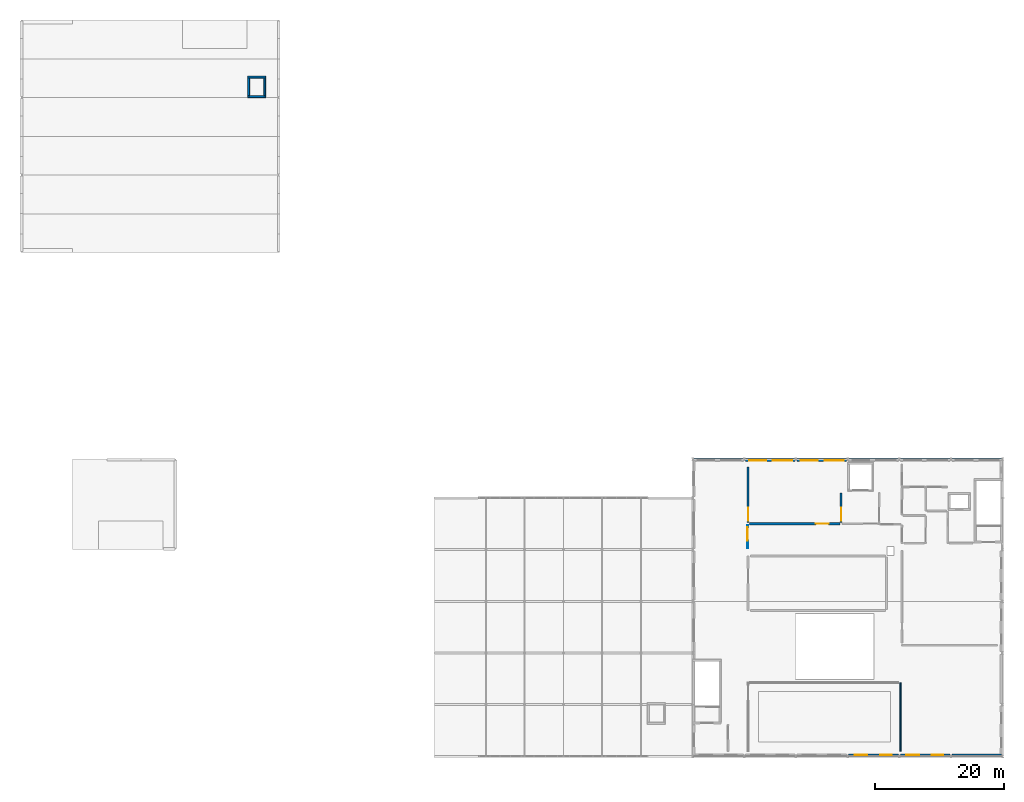
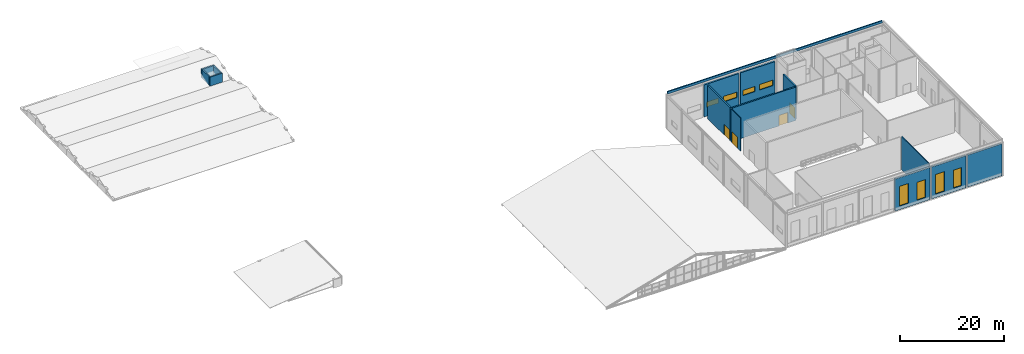
# One storey, part 42 of 49: 15 walls, 8 windows, 4 doors, 12 openings.
"""IFC4 building model written with IfcOpenShell, lengths in metres."""

from ifc_helpers import new_model, si_unit, direction, frame, frame_2d, origin, place, context, subcontext, project, spatial, rectangle, extrude, material, layer, layer_set, type_object, element, fill, save


model = new_model("IFC4")

# Units and contexts
model_context = context("Model", 3, precision=1e-05, world=origin(), true_north=direction((0.0, 1.0)))
body_context = subcontext(model_context, "Body", "Model", "MODEL_VIEW")
ifc_project = project(units=[si_unit("LENGTHUNIT", "METRE"), si_unit("AREAUNIT", "SQUARE_METRE"), si_unit("VOLUMEUNIT", "CUBIC_METRE"), si_unit("PLANEANGLEUNIT", "RADIAN"), si_unit("MASSUNIT", "GRAM", prefix="KILO")], contexts=[model_context])

# Site, building, storey
site_placement = place(None, origin())
site = spatial("IfcSite", under=ifc_project, at=site_placement, CompositionType="ELEMENT")
building_placement = place(site_placement, origin())
building = spatial("IfcBuilding", under=site, at=building_placement, Name="Sundkrona Museum", CompositionType="ELEMENT")
storey_placement = place(building_placement, frame((0.0, 0.0, 26.0)))
storey = spatial("IfcBuildingStorey", under=building, at=storey_placement, Name="L05", CompositionType="ELEMENT", Elevation=26.0)

# Wall, opening, door
ifc_material_1 = material(Name="Concrete C40/50", Category="concrete")
ifc_layer_1 = layer(ifc_material_1, 0.330078125)
ifc_layer_set_1 = layer_set([ifc_layer_1], Name="Concrete C40/50")
wall_type_1 = type_object("IfcWallType", Name="W-ARC-120", PredefinedType="SOLIDWALL", material=ifc_layer_set_1)
wall_1_placement = place(storey_placement, frame((143.0, 36.199951171875, 0.0), z_axis=(0.0, 0.0, 1.0), x_axis=(0.0, 1.0, 0.0)))
wall_1 = element("IfcWall", 1, at=wall_1_placement, inside=storey, type_object=wall_type_1, Name="L05 Partition Goods Lift Lobby / Mineralogy Type Collection Storage", PredefinedType="SOLIDWALL", context=body_context, shape_type="SweptSolid", body=[
    extrude(rectangle(XDim=4.60009765625, YDim=0.330078125, at=frame_2d((2.300048828125, 0.0))), origin(), (0.0, 0.0, 1.0), 7.820068359375),
])
opening_1_placement = place(wall_1_placement, frame((0.300048828125, 0.0, 0.0)))
opening_1 = element("IfcOpeningElement", 2, at=opening_1_placement, cuts=wall_1, Name="Opening D-ARC-120", PredefinedType="OPENING", context=body_context, shape_type="SweptSolid", body=[
    extrude(rectangle(XDim=2.0, YDim=2.5, at=frame_2d((1.0, 1.25))), frame((0.0, 0.175048828125, 0.0), z_axis=(0.0, -1.0, 0.0), x_axis=(1.0, 0.0, 0.0)), (0.0, 0.0, 1.0), 0.35009765625),
])
ifc_material_2 = material(Name="Insulated Steel Vault Door", Category="steel")
door_type_1 = type_object("IfcDoorType", Name="D-ARC-120", OperationType="DOUBLE_DOOR_SINGLE_SWING", PredefinedType="DOOR", material=ifc_material_2)
door_1_placement = place(opening_1_placement, origin())
door_1 = element("IfcDoor", 3, at=door_1_placement, inside=storey, type_object=door_type_1, Name="L05 Interior Door DR-ADJ-L05-0208", OperationType="DOUBLE_DOOR_SINGLE_SWING", OverallHeight=2.5, OverallWidth=2.0, PredefinedType="DOOR", context=body_context, shape_type="SweptSolid", body=[
    extrude(rectangle(XDim=2.0, YDim=2.5, at=frame_2d((1.0, 1.25))), frame((0.0, 0.02490234375, 0.0), z_axis=(0.0, -1.0, 0.0), x_axis=(1.0, 0.0, 0.0)), (0.0, 0.0, 1.0), 0.050048828125),
])
fill(opening_1, door_1)

wall_2_placement = place(storey_placement, frame((128.60009765625, 36.199951171875, 0.0), z_axis=(0.0, 0.0, 1.0), x_axis=(0.0, 1.0, 0.0)))
wall_2 = element("IfcWall", 4, at=wall_2_placement, inside=storey, type_object=wall_type_1, Name="L05 Partition Crown Sawtooth Concourse / Mineralogy Type Collection Storage", PredefinedType="SOLIDWALL", context=body_context, shape_type="SweptSolid", body=[
    extrude(rectangle(XDim=8.60009765625, YDim=0.330078125, at=frame_2d((4.300048828125, 0.0))), origin(), (0.0, 0.0, 1.0), 7.820068359375),
])
opening_2_placement = place(wall_2_placement, frame((0.300048828125, 0.0, 0.0)))
opening_2 = element("IfcOpeningElement", 5, at=opening_2_placement, cuts=wall_2, Name="Opening D-ARC-120", PredefinedType="OPENING", context=body_context, shape_type="SweptSolid", body=[
    extrude(rectangle(XDim=2.0, YDim=2.5, at=frame_2d((1.0, 1.25))), frame((0.0, 0.175048828125, 0.0), z_axis=(0.0, -1.0, 0.0), x_axis=(1.0, 0.0, 0.0)), (0.0, 0.0, 1.0), 0.35009765625),
])
door_2_placement = place(opening_2_placement, origin())
door_2 = element("IfcDoor", 6, at=door_2_placement, inside=storey, type_object=door_type_1, Name="L05 Interior Door DR-ADJ-L05-0219", OperationType="DOUBLE_DOOR_SINGLE_SWING", OverallHeight=2.5, OverallWidth=2.0, PredefinedType="DOOR", context=body_context, shape_type="SweptSolid", body=[
    extrude(rectangle(XDim=2.0, YDim=2.5, at=frame_2d((1.0, 1.25))), frame((0.0, 0.02490234375, 0.0), z_axis=(0.0, -1.0, 0.0), x_axis=(1.0, 0.0, 0.0)), (0.0, 0.0, 1.0), 0.050048828125),
])
fill(opening_2, door_2)

wall_3_placement = place(storey_placement, frame((128.800048828125, 36.0, 0.0), z_axis=(0.0, 0.0, 1.0), x_axis=(1.0, 0.0, 0.0)))
wall_3 = element("IfcWall", 7, at=wall_3_placement, inside=storey, type_object=wall_type_1, Name="L05 Partition Crown North Link Corridor / Mineralogy Type Collection Storage", PredefinedType="SOLIDWALL", context=body_context, shape_type="SweptSolid", body=[
    extrude(rectangle(XDim=14.0, YDim=0.330078125, at=frame_2d((7.0, 0.0))), origin(), (0.0, 0.0, 1.0), 7.820068359375),
])
opening_3_placement = place(wall_3_placement, frame((10.27490234375, 0.0, 0.0)))
opening_3 = element("IfcOpeningElement", 8, at=opening_3_placement, cuts=wall_3, Name="Opening D-ARC-120", PredefinedType="OPENING", context=body_context, shape_type="SweptSolid", body=[
    extrude(rectangle(XDim=2.0, YDim=2.5, at=frame_2d((1.0, 1.25))), frame((0.0, 0.175048828125, 0.0), z_axis=(0.0, -1.0, 0.0), x_axis=(1.0, 0.0, 0.0)), (0.0, 0.0, 1.0), 0.35009765625),
])
door_3_placement = place(opening_3_placement, origin())
door_3 = element("IfcDoor", 9, at=door_3_placement, inside=storey, type_object=door_type_1, Name="L05 Interior Door DR-ADJ-L05-0221", OperationType="DOUBLE_DOOR_SINGLE_SWING", OverallHeight=2.5, OverallWidth=2.0, PredefinedType="DOOR", context=body_context, shape_type="SweptSolid", body=[
    extrude(rectangle(XDim=2.0, YDim=2.5, at=frame_2d((1.0, 1.25))), frame((0.0, 0.02490234375, 0.0), z_axis=(0.0, -1.0, 0.0), x_axis=(1.0, 0.0, 0.0)), (0.0, 0.0, 1.0), 0.050048828125),
])
fill(opening_3, door_3)

# Walls
ifc_layer_2 = layer(ifc_material_1, 0.300048828125)
ifc_layer_set_2 = layer_set([ifc_layer_2], Name="Concrete C40/50")
wall_type_2 = type_object("IfcWallType", Name="W-CORE-300", PredefinedType="SHEAR", material=ifc_layer_set_2)
for number, where, z_axis, x_axis, name in (
    (10, (51.10009765625, 102.14990234375, 0.0), (0.0, 0.0, 1.0), (1.0, 0.0, 0.0), "PL-3 Lift Overrun Wall South"),
    (11, (51.10009765625, 105.14990234375, 0.0), (0.0, 0.0, 1.0), (1.0, 0.0, 0.0), "PL-3 Lift Overrun Wall North"),
):
    element("IfcWall", number, at=place(storey_placement, frame(where, z_axis=z_axis, x_axis=x_axis)), inside=storey, type_object=wall_type_2, Name=name, PredefinedType="SHEAR", context=body_context, shape_type="SweptSolid", body=[
        extrude(rectangle(XDim=2.7998046875, YDim=0.300048828125, at=frame_2d((1.39990234375, 0.0))), origin(), (0.0, 0.0, 1.0), 2.10009765625),
    ])
for number, where, z_axis, x_axis, name in (
    (12, (51.25, 102.31005859375, 0.0), (0.0, 0.0, 1.0), (0.0, 1.0, 0.0), "PL-3 Lift Overrun Wall West"),
    (13, (53.75, 102.31005859375, 0.0), (0.0, 0.0, 1.0), (0.0, 1.0, 0.0), "PL-3 Lift Overrun Wall East"),
):
    element("IfcWall", number, at=place(storey_placement, frame(where, z_axis=z_axis, x_axis=x_axis)), inside=storey, type_object=wall_type_2, Name=name, PredefinedType="SHEAR", context=body_context, shape_type="SweptSolid", body=[
        extrude(rectangle(XDim=2.679931640625, YDim=0.300048828125, at=frame_2d((1.33984375, 0.0))), origin(), (0.0, 0.0, 1.0), 2.10009765625),
    ])

# Wall, openings, windows
ifc_material_3 = material(Name="Scanian Polychrome Clay Brickwork 390 mm", Category="masonry")
ifc_layer_3 = layer(ifc_material_3, 0.389892578125)
ifc_layer_set_3 = layer_set([ifc_layer_3], Name="Scanian Polychrome Clay Brickwork 390 mm")
wall_type_3 = type_object("IfcWallType", Name="W-EX-390", PredefinedType="SOLIDWALL", material=ifc_layer_set_3)
wall_4_placement = place(storey_placement, frame((151.847900390625, 0.195068359375, 0.0), z_axis=(0.0, 0.0, 1.0), x_axis=(-1.0, 0.0, 0.0)))
wall_4 = element("IfcWall", 14, at=wall_4_placement, inside=storey, type_object=wall_type_3, Name="L05 Facade Wall 0071", PredefinedType="SOLIDWALL", context=body_context, shape_type="SweptSolid", body=[
    extrude(rectangle(XDim=7.69580078125, YDim=0.389892578125, at=frame_2d((3.847900390625, 0.0))), origin(), (0.0, 0.0, 1.0), 7.4951171875),
])
opening_4_placement = place(wall_4_placement, frame((1.02392578125, 0.0, 0.85009765625)))
opening_4 = element("IfcOpeningElement", 15, at=opening_4_placement, cuts=wall_4, Name="Opening WN-LN-180x420", PredefinedType="OPENING", context=body_context, shape_type="SweptSolid", body=[
    extrude(rectangle(XDim=1.800048828125, YDim=4.199951171875, at=frame_2d((0.89990234375, 2.10009765625))), frame((0.0, 0.204833984375, 0.0), z_axis=(0.0, -1.0, 0.0), x_axis=(1.0, 0.0, 0.0)), (0.0, 0.0, 1.0), 0.409912109375),
])
opening_5_placement = place(wall_4_placement, frame((4.77197265625, 0.0, 0.85009765625)))
opening_5 = element("IfcOpeningElement", 16, at=opening_5_placement, cuts=wall_4, Name="Opening WN-LN-200x460", PredefinedType="OPENING", context=body_context, shape_type="SweptSolid", body=[
    extrude(rectangle(XDim=2.0, YDim=4.60009765625, at=frame_2d((1.0, 2.300048828125))), frame((0.0, 0.204833984375, 0.0), z_axis=(0.0, -1.0, 0.0), x_axis=(1.0, 0.0, 0.0)), (0.0, 0.0, 1.0), 0.409912109375),
])
ifc_material_4 = material(Name="Triple Low-E Argon Glazing in Bronze-Anodised Aluminium", Category="aluminium")
window_type_1 = type_object("IfcWindowType", Name="WN-LN-180x420", PartitioningType="DOUBLE_PANEL_VERTICAL", PredefinedType="WINDOW", material=ifc_material_4)
window_1_placement = place(opening_4_placement, origin())
window_1 = element("IfcWindow", 17, at=window_1_placement, inside=storey, type_object=window_type_1, Name="L05 Paleontology hall tall window 1800x4200 WIN-L05-0097", OverallHeight=4.199951171875, OverallWidth=1.800048828125, PartitioningType="DOUBLE_PANEL_VERTICAL", PredefinedType="WINDOW", context=body_context, shape_type="SweptSolid", body=[
    extrude(rectangle(XDim=1.800048828125, YDim=4.199951171875, at=frame_2d((0.89990234375, 2.10009765625))), frame((0.0, 0.030029296875, 0.0), z_axis=(0.0, -1.0, 0.0), x_axis=(1.0, 0.0, 0.0)), (0.0, 0.0, 1.0), 0.06005859375),
])
fill(opening_4, window_1)
window_type_2 = type_object("IfcWindowType", Name="WN-LN-200x460", PartitioningType="TRIPLE_PANEL_VERTICAL", PredefinedType="WINDOW", material=ifc_material_4)
window_2_placement = place(opening_5_placement, origin())
window_2 = element("IfcWindow", 18, at=window_2_placement, inside=storey, type_object=window_type_2, Name="L05 Monumental hall lancet window 2000x4600 WIN-L05-0098", OverallHeight=4.60009765625, OverallWidth=2.0, PartitioningType="TRIPLE_PANEL_VERTICAL", PredefinedType="WINDOW", context=body_context, shape_type="SweptSolid", body=[
    extrude(rectangle(XDim=2.0, YDim=4.60009765625, at=frame_2d((1.0, 2.300048828125))), frame((0.0, 0.030029296875, 0.0), z_axis=(0.0, -1.0, 0.0), x_axis=(1.0, 0.0, 0.0)), (0.0, 0.0, 1.0), 0.06005859375),
])
fill(opening_5, window_2)

wall_5_placement = place(storey_placement, frame((159.847900390625, 0.195068359375, 0.0), z_axis=(0.0, 0.0, 1.0), x_axis=(-1.0, 0.0, 0.0)))
wall_5 = element("IfcWall", 19, at=wall_5_placement, inside=storey, type_object=wall_type_3, Name="L05 Facade Wall 0072", PredefinedType="SOLIDWALL", context=body_context, shape_type="SweptSolid", body=[
    extrude(rectangle(XDim=7.69580078125, YDim=0.389892578125, at=frame_2d((3.847900390625, 0.0))), origin(), (0.0, 0.0, 1.0), 7.4951171875),
])
opening_6_placement = place(wall_5_placement, frame((1.02392578125, 0.0, 0.85009765625)))
opening_6 = element("IfcOpeningElement", 20, at=opening_6_placement, cuts=wall_5, Name="Opening WN-LN-180x420", PredefinedType="OPENING", context=body_context, shape_type="SweptSolid", body=[
    extrude(rectangle(XDim=1.800048828125, YDim=4.199951171875, at=frame_2d((0.89990234375, 2.10009765625))), frame((0.0, 0.204833984375, 0.0), z_axis=(0.0, -1.0, 0.0), x_axis=(1.0, 0.0, 0.0)), (0.0, 0.0, 1.0), 0.409912109375),
])
opening_7_placement = place(wall_5_placement, frame((4.77197265625, 0.0, 0.85009765625)))
opening_7 = element("IfcOpeningElement", 21, at=opening_7_placement, cuts=wall_5, Name="Opening WN-LN-200x460", PredefinedType="OPENING", context=body_context, shape_type="SweptSolid", body=[
    extrude(rectangle(XDim=2.0, YDim=4.60009765625, at=frame_2d((1.0, 2.300048828125))), frame((0.0, 0.204833984375, 0.0), z_axis=(0.0, -1.0, 0.0), x_axis=(1.0, 0.0, 0.0)), (0.0, 0.0, 1.0), 0.409912109375),
])
window_3_placement = place(opening_6_placement, origin())
window_3 = element("IfcWindow", 22, at=window_3_placement, inside=storey, type_object=window_type_1, Name="L05 Paleontology hall tall window 1800x4200 WIN-L05-0099", OverallHeight=4.199951171875, OverallWidth=1.800048828125, PartitioningType="DOUBLE_PANEL_VERTICAL", PredefinedType="WINDOW", context=body_context, shape_type="SweptSolid", body=[
    extrude(rectangle(XDim=1.800048828125, YDim=4.199951171875, at=frame_2d((0.89990234375, 2.10009765625))), frame((0.0, 0.030029296875, 0.0), z_axis=(0.0, -1.0, 0.0), x_axis=(1.0, 0.0, 0.0)), (0.0, 0.0, 1.0), 0.06005859375),
])
fill(opening_6, window_3)
window_4_placement = place(opening_7_placement, origin())
window_4 = element("IfcWindow", 23, at=window_4_placement, inside=storey, type_object=window_type_2, Name="L05 Monumental hall lancet window 2000x4600 WIN-L05-0100", OverallHeight=4.60009765625, OverallWidth=2.0, PartitioningType="TRIPLE_PANEL_VERTICAL", PredefinedType="WINDOW", context=body_context, shape_type="SweptSolid", body=[
    extrude(rectangle(XDim=2.0, YDim=4.60009765625, at=frame_2d((1.0, 2.300048828125))), frame((0.0, 0.030029296875, 0.0), z_axis=(0.0, -1.0, 0.0), x_axis=(1.0, 0.0, 0.0)), (0.0, 0.0, 1.0), 0.06005859375),
])
fill(opening_7, window_4)

# Walls
wall_6_placement = place(storey_placement, frame((167.847900390625, 0.195068359375, 0.0), z_axis=(0.0, 0.0, 1.0), x_axis=(-1.0, 0.0, 0.0)))
element("IfcWall", 24, at=wall_6_placement, inside=storey, type_object=wall_type_3, Name="L05 Facade Wall 0073", PredefinedType="SOLIDWALL", context=body_context, shape_type="SweptSolid", body=[
    extrude(rectangle(XDim=7.69580078125, YDim=0.389892578125, at=frame_2d((3.847900390625, 0.0))), origin(), (0.0, 0.0, 1.0), 7.4951171875),
])
ifc_material_5 = material(Name="Copper-capped Scanian Brick Masonry 250 mm", Category="masonry")
ifc_layer_4 = layer(ifc_material_5, 0.25)
ifc_layer_set_4 = layer_set([ifc_layer_4], Name="Copper-capped Scanian Brick Masonry 250 mm")
wall_type_4 = type_object("IfcWallType", Name="W-PR-250", PredefinedType="PARAPET", material=ifc_layer_set_4)
wall_7_placement = place(storey_placement, frame((120.199951171875, 46.0, 8.0), z_axis=(0.0, 0.0, 1.0), x_axis=(1.0, 0.0, 0.0)))
element("IfcWall", 25, at=wall_7_placement, inside=storey, type_object=wall_type_4, Name="L05 Roof Parapet Upstand 06", PredefinedType="PARAPET", context=body_context, shape_type="SweptSolid", body=[
    extrude(rectangle(XDim=47.60009765625, YDim=0.25, at=frame_2d((23.800048828125, 0.0))), origin(), (0.0, 0.0, 1.0), 0.550048828125),
])

# Wall, opening, door
ifc_material_6 = material(Name="Acoustic Gypsum Partition Board 150 mm", Category="other")
ifc_layer_5 = layer(ifc_material_6, 0.14990234375)
ifc_layer_set_5 = layer_set([ifc_layer_5], Name="Acoustic Gypsum Partition Board 150 mm")
wall_type_5 = type_object("IfcWallType", Name="W-PT-150", PredefinedType="PARTITIONING", material=ifc_layer_set_5)
wall_8_placement = place(storey_placement, frame((128.5, 32.199951171875, 0.0), z_axis=(0.0, 0.0, 1.0), x_axis=(0.0, 1.0, 0.0)))
wall_8 = element("IfcWall", 26, at=wall_8_placement, inside=storey, type_object=wall_type_5, Name="L05 Partition Crown Sawtooth Concourse / Crown North Link Corridor", PredefinedType="PARTITIONING", context=body_context, shape_type="SweptSolid", body=[
    extrude(rectangle(XDim=3.60009765625, YDim=0.14990234375, at=frame_2d((1.800048828125, 0.0))), origin(), (0.0, 0.0, 1.0), 7.820068359375),
])
opening_8_placement = place(wall_8_placement, frame((1.199951171875, 0.0, 0.0)))
opening_8 = element("IfcOpeningElement", 27, at=opening_8_placement, cuts=wall_8, Name="Opening D-GAL-210", PredefinedType="OPENING", context=body_context, shape_type="SweptSolid", body=[
    extrude(rectangle(XDim=2.10009765625, YDim=2.60009765625, at=frame_2d((1.050048828125, 1.300048828125))), frame((0.0, 0.0849609375, 0.0), z_axis=(0.0, -1.0, 0.0), x_axis=(1.0, 0.0, 0.0)), (0.0, 0.0, 1.0), 0.169921875),
])
ifc_material_7 = material(Name="European Oak Gallery Door", Category="other")
door_type_2 = type_object("IfcDoorType", Name="D-GAL-210", OperationType="DOUBLE_DOOR_SINGLE_SWING", PredefinedType="DOOR", material=ifc_material_7)
door_4_placement = place(opening_8_placement, origin())
door_4 = element("IfcDoor", 28, at=door_4_placement, inside=storey, type_object=door_type_2, Name="L05 Interior Door DR-ADJ-L05-0216", OperationType="DOUBLE_DOOR_SINGLE_SWING", OverallHeight=2.60009765625, OverallWidth=2.10009765625, PredefinedType="DOOR", context=body_context, shape_type="SweptSolid", body=[
    extrude(rectangle(XDim=2.10009765625, YDim=2.60009765625, at=frame_2d((1.050048828125, 1.300048828125))), frame((0.0, 0.02490234375, 0.0), z_axis=(0.0, -1.0, 0.0), x_axis=(1.0, 0.0, 0.0)), (0.0, 0.0, 1.0), 0.050048828125),
])
fill(opening_8, door_4)

# Wall
ifc_material_8 = material(Name="Moisture-resistant Tile Partition 200 mm", Category="other")
ifc_layer_6 = layer(ifc_material_8, 0.199951171875)
ifc_layer_set_6 = layer_set([ifc_layer_6], Name="Moisture-resistant Tile Partition 200 mm")
wall_type_6 = type_object("IfcWallType", Name="W-PT-200", PredefinedType="PARTITIONING", material=ifc_layer_set_6)
wall_9_placement = place(storey_placement, frame((152.199951171875, 0.800048828125, 0.0), z_axis=(0.0, 0.0, 1.0), x_axis=(0.0, 1.0, 0.0)))
element("IfcWall", 29, at=wall_9_placement, inside=storey, type_object=wall_type_6, Name="L05 Partition Top-Lit Sawtooth Gallery / Taxidermy Conservation Laboratory", PredefinedType="PARTITIONING", context=body_context, shape_type="SweptSolid", body=[
    extrude(rectangle(XDim=10.599853515625, YDim=0.199951171875, at=frame_2d((5.2998046875, 0.0))), origin(), (0.0, 0.0, 1.0), 7.820068359375),
])

# Wall, openings, windows
ifc_material_9 = material(Name="Vitrified Stoneware Mosaic Cladding 360 mm", Category="masonry")
ifc_layer_7 = layer(ifc_material_9, 0.360107421875)
ifc_layer_set_7 = layer_set([ifc_layer_7], Name="Vitrified Stoneware Mosaic Cladding 360 mm")
wall_type_7 = type_object("IfcWallType", Name="W-SP-360", PredefinedType="ELEMENTEDWALL", material=ifc_layer_set_7)
wall_10_placement = place(storey_placement, frame((128.152099609375, 45.820068359375, 0.0), z_axis=(0.0, 0.0, 1.0), x_axis=(1.0, 0.0, 0.0)))
wall_10 = element("IfcWall", 30, at=wall_10_placement, inside=storey, type_object=wall_type_7, Name="L05 Facade Wall 0080", PredefinedType="ELEMENTEDWALL", context=body_context, shape_type="SweptSolid", body=[
    extrude(rectangle(XDim=7.69580078125, YDim=0.360107421875, at=frame_2d((3.847900390625, 0.0))), origin(), (0.0, 0.0, 1.0), 7.4951171875),
])
opening_9_placement = place(wall_10_placement, frame((0.6240234375, 0.0, 2.0)))
opening_9 = element("IfcOpeningElement", 31, at=opening_9_placement, cuts=wall_10, Name="Opening WN-CL-260x120", PredefinedType="OPENING", context=body_context, shape_type="SweptSolid", body=[
    extrude(rectangle(XDim=2.60009765625, YDim=1.199951171875, at=frame_2d((1.300048828125, 0.60009765625))), frame((0.0, 0.18994140625, 0.0), z_axis=(0.0, -1.0, 0.0), x_axis=(1.0, 0.0, 0.0)), (0.0, 0.0, 1.0), 0.380126953125),
])
opening_10_placement = place(wall_10_placement, frame((4.27197265625, 0.0, 2.0)))
opening_10 = element("IfcOpeningElement", 32, at=opening_10_placement, cuts=wall_10, Name="Opening WN-CL-300x130", PredefinedType="OPENING", context=body_context, shape_type="SweptSolid", body=[
    extrude(rectangle(XDim=3.0, YDim=1.300048828125, at=frame_2d((1.5, 0.64990234375))), frame((0.0, 0.18994140625, 0.0), z_axis=(0.0, -1.0, 0.0), x_axis=(1.0, 0.0, 0.0)), (0.0, 0.0, 1.0), 0.380126953125),
])
window_type_3 = type_object("IfcWindowType", Name="WN-CL-260x120", PartitioningType="DOUBLE_PANEL_HORIZONTAL", PredefinedType="WINDOW", material=ifc_material_4)
window_5_placement = place(opening_9_placement, origin())
window_5 = element("IfcWindow", 33, at=window_5_placement, inside=storey, type_object=window_type_3, Name="L05 High-level gallery clerestory ribbon window 2600x1200 WIN-L05-0110", OverallHeight=1.199951171875, OverallWidth=2.60009765625, PartitioningType="DOUBLE_PANEL_HORIZONTAL", PredefinedType="WINDOW", context=body_context, shape_type="SweptSolid", body=[
    extrude(rectangle(XDim=2.60009765625, YDim=1.199951171875, at=frame_2d((1.300048828125, 0.60009765625))), frame((0.0, 0.030029296875, 0.0), z_axis=(0.0, -1.0, 0.0), x_axis=(1.0, 0.0, 0.0)), (0.0, 0.0, 1.0), 0.06005859375),
])
fill(opening_9, window_5)
window_type_4 = type_object("IfcWindowType", Name="WN-CL-300x130", PartitioningType="TRIPLE_PANEL_HORIZONTAL", PredefinedType="WINDOW", material=ifc_material_4)
window_6_placement = place(opening_10_placement, origin())
window_6 = element("IfcWindow", 34, at=window_6_placement, inside=storey, type_object=window_type_4, Name="L05 Exhibition clerestory window 3000x1300 WIN-L05-0111", OverallHeight=1.300048828125, OverallWidth=3.0, PartitioningType="TRIPLE_PANEL_HORIZONTAL", PredefinedType="WINDOW", context=body_context, shape_type="SweptSolid", body=[
    extrude(rectangle(XDim=3.0, YDim=1.300048828125, at=frame_2d((1.5, 0.64990234375))), frame((0.0, 0.030029296875, 0.0), z_axis=(0.0, -1.0, 0.0), x_axis=(1.0, 0.0, 0.0)), (0.0, 0.0, 1.0), 0.06005859375),
])
fill(opening_10, window_6)

wall_11_placement = place(storey_placement, frame((136.152099609375, 45.820068359375, 0.0), z_axis=(0.0, 0.0, 1.0), x_axis=(1.0, 0.0, 0.0)))
wall_11 = element("IfcWall", 35, at=wall_11_placement, inside=storey, type_object=wall_type_7, Name="L05 Facade Wall 0081", PredefinedType="ELEMENTEDWALL", context=body_context, shape_type="SweptSolid", body=[
    extrude(rectangle(XDim=7.69580078125, YDim=0.360107421875, at=frame_2d((3.847900390625, 0.0))), origin(), (0.0, 0.0, 1.0), 7.4951171875),
])
opening_11_placement = place(wall_11_placement, frame((0.6240234375, 0.0, 2.0)))
opening_11 = element("IfcOpeningElement", 36, at=opening_11_placement, cuts=wall_11, Name="Opening WN-CL-260x120", PredefinedType="OPENING", context=body_context, shape_type="SweptSolid", body=[
    extrude(rectangle(XDim=2.60009765625, YDim=1.199951171875, at=frame_2d((1.300048828125, 0.60009765625))), frame((0.0, 0.18994140625, 0.0), z_axis=(0.0, -1.0, 0.0), x_axis=(1.0, 0.0, 0.0)), (0.0, 0.0, 1.0), 0.380126953125),
])
opening_12_placement = place(wall_11_placement, frame((4.27197265625, 0.0, 2.0)))
opening_12 = element("IfcOpeningElement", 37, at=opening_12_placement, cuts=wall_11, Name="Opening WN-CL-300x130", PredefinedType="OPENING", context=body_context, shape_type="SweptSolid", body=[
    extrude(rectangle(XDim=3.0, YDim=1.300048828125, at=frame_2d((1.5, 0.64990234375))), frame((0.0, 0.18994140625, 0.0), z_axis=(0.0, -1.0, 0.0), x_axis=(1.0, 0.0, 0.0)), (0.0, 0.0, 1.0), 0.380126953125),
])
window_7_placement = place(opening_11_placement, origin())
window_7 = element("IfcWindow", 38, at=window_7_placement, inside=storey, type_object=window_type_3, Name="L05 High-level gallery clerestory ribbon window 2600x1200 WIN-L05-0112", OverallHeight=1.199951171875, OverallWidth=2.60009765625, PartitioningType="DOUBLE_PANEL_HORIZONTAL", PredefinedType="WINDOW", context=body_context, shape_type="SweptSolid", body=[
    extrude(rectangle(XDim=2.60009765625, YDim=1.199951171875, at=frame_2d((1.300048828125, 0.60009765625))), frame((0.0, 0.030029296875, 0.0), z_axis=(0.0, -1.0, 0.0), x_axis=(1.0, 0.0, 0.0)), (0.0, 0.0, 1.0), 0.06005859375),
])
fill(opening_11, window_7)
window_8_placement = place(opening_12_placement, origin())
window_8 = element("IfcWindow", 39, at=window_8_placement, inside=storey, type_object=window_type_4, Name="L05 Exhibition clerestory window 3000x1300 WIN-L05-0113", OverallHeight=1.300048828125, OverallWidth=3.0, PartitioningType="TRIPLE_PANEL_HORIZONTAL", PredefinedType="WINDOW", context=body_context, shape_type="SweptSolid", body=[
    extrude(rectangle(XDim=3.0, YDim=1.300048828125, at=frame_2d((1.5, 0.64990234375))), frame((0.0, 0.030029296875, 0.0), z_axis=(0.0, -1.0, 0.0), x_axis=(1.0, 0.0, 0.0)), (0.0, 0.0, 1.0), 0.06005859375),
])
fill(opening_12, window_8)

save(model, "model.ifc")
